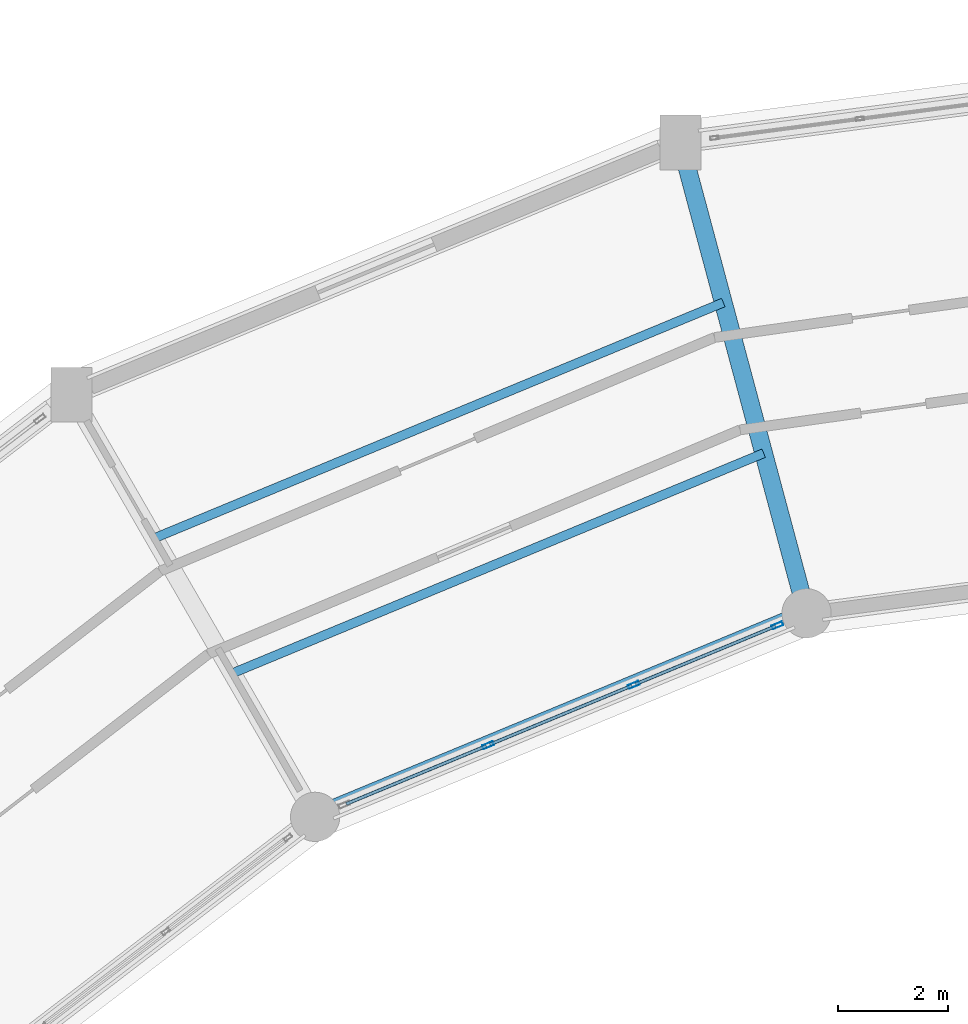
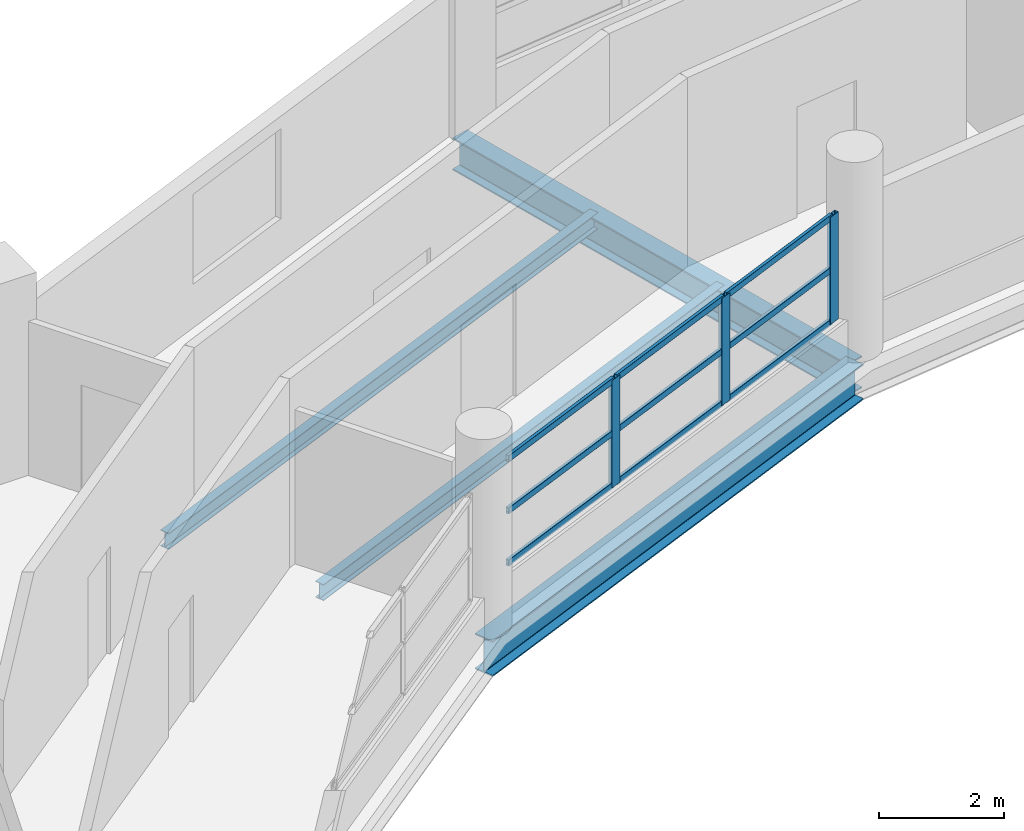
# One storey, part 28 of 53: 12 members, 4 beams, 1 element without a shape of its own.
"""IFC4 building model written with IfcOpenShell, lengths in metres."""

from ifc_helpers import new_model, si_unit, direction, frame, origin, origin_2d, place, context, subcontext, project, spatial, hollow_rectangle, i_section, extrude, material, layer, layer_set, material_profile, profile_set, type_object, element, aggregate, save


model = new_model("IFC4")

# Units and contexts
model_context = context("Model", 3, precision=1e-05, world=origin(), true_north=direction((0.0, 1.0)))
body_context = subcontext(model_context, "Body", "Model", "MODEL_VIEW")
ifc_project = project(units=[si_unit("LENGTHUNIT", "METRE"), si_unit("AREAUNIT", "SQUARE_METRE"), si_unit("VOLUMEUNIT", "CUBIC_METRE"), si_unit("PLANEANGLEUNIT", "RADIAN"), si_unit("MASSUNIT", "GRAM", prefix="KILO")], contexts=[model_context])

# Site, building, storey
site_placement = place(None, origin())
site = spatial("IfcSite", under=ifc_project, at=site_placement, CompositionType="ELEMENT")
building_placement = place(site_placement, origin())
building = spatial("IfcBuilding", under=site, at=building_placement, Name="Vespera Passage Community Centre", CompositionType="ELEMENT")
storey_placement = place(building_placement, frame((0.0, 0.0, 20.39990234375)))
storey = spatial("IfcBuildingStorey", under=building, at=storey_placement, Name="L05", CompositionType="ELEMENT", Elevation=20.39990234375)

# Beams
ifc_material_1 = material(Name="Steel ASTM A992 Grade 50", Category="steel")
ifc_material_profile_1 = material_profile(ifc_material_1, i_section(OverallWidth=0.32763671875, OverallDepth=0.62841796875, WebThickness=0.0166015625, FlangeThickness=0.027587890625, FilletRadius=0.0126953125, at=origin_2d()), Name="W24X146")
ifc_profile_set_1 = profile_set([ifc_material_profile_1], Name="Steel ASTM A992 Grade 50")
beam_type_1 = type_object("IfcBeamType", Name="BM-G-W24X146", PredefinedType="BEAM", material=ifc_profile_set_1)
beam_1_placement = place(storey_placement, frame((68.371826171875, 101.432373046875, -0.57421875), z_axis=(-0.258811497245, 0.9659278487, 0.0), x_axis=(-0.9659278487, -0.258811497245, 0.0)))
element("IfcBeam", 1, at=beam_1_placement, inside=storey, type_object=beam_type_1, Name="V4 L05 Radial Girder 7", PredefinedType="BEAM", context=body_context, shape_type="SweptSolid", body=[
    extrude(i_section(OverallWidth=0.32763671875, OverallDepth=0.62841796875, WebThickness=0.0166015625, FlangeThickness=0.027587890625, FilletRadius=0.0126953125, at=origin_2d()), origin(), (0.0, 0.0, 1.0), 8.900146484375),
])
ifc_material_2 = material(Name="Steel ASTM A992 Grade 50", Category="steel")
ifc_material_profile_2 = material_profile(ifc_material_2, i_section(OverallWidth=0.16650390625, OverallDepth=0.3173828125, WebThickness=0.007568359375, FlangeThickness=0.01318359375, FilletRadius=0.007568359375, at=origin_2d()), Name="W12X35")
ifc_profile_set_2 = profile_set([ifc_material_profile_2], Name="Steel ASTM A992 Grade 50")
beam_type_2 = type_object("IfcBeamType", Name="BM-J-W12X35", PredefinedType="JOIST", material=ifc_profile_set_2)
beam_2_placement = place(storey_placement, frame((67.588623046875, 104.355224609375, -0.418701171875), z_axis=(-0.92387968492, -0.382683064417, 0.0), x_axis=(0.382683064417, -0.92387968492, 0.0)))
element("IfcBeam", 2, at=beam_2_placement, inside=storey, type_object=beam_type_2, Name="V4 L05 Floor Joist 7.1", PredefinedType="JOIST", context=body_context, shape_type="SweptSolid", body=[
    extrude(i_section(OverallWidth=0.16650390625, OverallDepth=0.3173828125, WebThickness=0.007568359375, FlangeThickness=0.01318359375, FilletRadius=0.007568359375, at=origin_2d()), origin(), (0.0, 0.0, 1.0), 10.5009765625),
])
beam_3_placement = place(storey_placement, frame((66.8515625, 107.106201171875, -0.418701171875), z_axis=(-0.923884257257, -0.38267202562, 0.0), x_axis=(0.38267202562, -0.923884257257, 0.0)))
element("IfcBeam", 3, at=beam_3_placement, inside=storey, type_object=beam_type_2, Name="V4 L05 Floor Joist 7.2", PredefinedType="JOIST", context=body_context, shape_type="SweptSolid", body=[
    extrude(i_section(OverallWidth=0.16650390625, OverallDepth=0.3173828125, WebThickness=0.007568359375, FlangeThickness=0.01318359375, FilletRadius=0.007568359375, at=origin_2d()), origin(), (0.0, 0.0, 1.0), 11.24462890625),
])
ifc_material_3 = material(Name="Steel ASTM A992 Grade 50", Category="steel")
ifc_material_profile_3 = material_profile(ifc_material_3, i_section(OverallWidth=0.3544921875, OverallDepth=0.695556640625, WebThickness=0.015380859375, FlangeThickness=0.024658203125, FilletRadius=0.01513671875, at=origin_2d()), Name="W27X146")
ifc_profile_set_3 = profile_set([ifc_material_profile_3], Name="Steel ASTM A992 Grade 50")
beam_type_3 = type_object("IfcBeamType", Name="BM-SP-W27X146E", PredefinedType="SPANDREL", material=ifc_profile_set_3)
beam_4_placement = place(storey_placement, frame((68.371826171875, 101.432373046875, -0.607666015625), z_axis=(-0.923878947685, -0.382684844258, 0.0), x_axis=(0.382684844258, -0.923878947685, 0.0)))
element("IfcBeam", 4, at=beam_4_placement, inside=storey, type_object=beam_type_3, Name="V4 L05 Inner Spandrel 7", PredefinedType="SPANDREL", context=body_context, shape_type="SweptSolid", body=[
    extrude(i_section(OverallWidth=0.3544921875, OverallDepth=0.695556640625, WebThickness=0.015380859375, FlangeThickness=0.024658203125, FilletRadius=0.01513671875, at=origin_2d()), origin(), (0.0, 0.0, 1.0), 9.711181640625),
])

# Curtain wall, members
ifc_material_4 = material(Name="Anodized aluminium 6063-T6", Category="aluminium")
ifc_layer = layer(ifc_material_4, 0.159912109375)
ifc_layer_set = layer_set([ifc_layer], Name="Anodized aluminium 6063-T6")
curtain_wall_type = type_object("IfcCurtainWallType", Name="CW-56E", PredefinedType="NOTDEFINED", material=ifc_layer_set)
curtain_wall_placement = place(storey_placement, origin())
curtain_wall = element("IfcCurtainWall", 5, at=curtain_wall_placement, inside=storey, type_object=curtain_wall_type, Name="V4 L05 Inner Court Curtain Wall 7", PredefinedType="NOTDEFINED")
ifc_material_5 = material(Name="Anodized aluminium 6063-T6", Category="aluminium")
ifc_material_profile_4 = material_profile(ifc_material_5, hollow_rectangle(XDim=0.074951171875, YDim=0.2099609375, WallThickness=0.0048828125, InnerFilletRadius=0.00244140625, OuterFilletRadius=0.0048828125, at=origin_2d()), Name="ALU210X75X5")
ifc_profile_set_4 = profile_set([ifc_material_profile_4], Name="Anodized aluminium 6063-T6")
member_type_1 = type_object("IfcMemberType", Name="MB-CWM-210E", PredefinedType="MULLION", material=ifc_profile_set_4)
member_1_placement = place(storey_placement, frame((67.838623046875, 101.211669921875, 0.820068359375), z_axis=(0.0, 0.0, 1.0), x_axis=(0.382690463482, -0.923876620096, 0.0)))
member_1 = element("IfcMember", 6, at=member_1_placement, type_object=member_type_1, Name="CW-56E mullion 1", PredefinedType="MULLION", context=body_context, shape_type="SweptSolid", body=[
    extrude(hollow_rectangle(XDim=0.074951171875, YDim=0.2099609375, WallThickness=0.0048828125, InnerFilletRadius=0.00244140625, OuterFilletRadius=0.0048828125, at=origin_2d()), origin(), (0.0, 0.0, 1.0), 2.08935546875),
])
member_2_placement = place(storey_placement, frame((65.215087890625, 100.124755859375, 0.820068359375), z_axis=(0.0, 0.0, 1.0), x_axis=(0.382690463482, -0.923876620096, 0.0)))
member_2 = element("IfcMember", 7, at=member_2_placement, type_object=member_type_1, Name="CW-56E mullion 2", PredefinedType="MULLION", context=body_context, shape_type="SweptSolid", body=[
    extrude(hollow_rectangle(XDim=0.074951171875, YDim=0.2099609375, WallThickness=0.0048828125, InnerFilletRadius=0.00244140625, OuterFilletRadius=0.0048828125, at=origin_2d()), origin(), (0.0, 0.0, 1.0), 2.08935546875),
])
member_3_placement = place(storey_placement, frame((62.556884765625, 99.023681640625, 0.820068359375), z_axis=(0.0, 0.0, 1.0), x_axis=(0.382690463482, -0.923876620096, 0.0)))
member_3 = element("IfcMember", 8, at=member_3_placement, type_object=member_type_1, Name="CW-56E mullion 3", PredefinedType="MULLION", context=body_context, shape_type="SweptSolid", body=[
    extrude(hollow_rectangle(XDim=0.074951171875, YDim=0.2099609375, WallThickness=0.0048828125, InnerFilletRadius=0.00244140625, OuterFilletRadius=0.0048828125, at=origin_2d()), origin(), (0.0, 0.0, 1.0), 2.08935546875),
])
ifc_material_6 = material(Name="Anodized aluminium 6063-T6", Category="aluminium")
ifc_material_profile_5 = material_profile(ifc_material_6, hollow_rectangle(XDim=0.06005859375, YDim=0.1201171875, WallThickness=0.00390625, InnerFilletRadius=0.001953125, OuterFilletRadius=0.00390625, at=origin_2d()), Name="ALU120X60X4")
ifc_profile_set_5 = profile_set([ifc_material_profile_5], Name="Anodized aluminium 6063-T6")
member_type_2 = type_object("IfcMemberType", Name="MB-CWT-120E", PredefinedType="USERDEFINED", material=ifc_profile_set_5)
member_4_placement = place(storey_placement, frame((67.803955078125, 101.197265625, 0.85009765625), z_axis=(-0.923863992677, -0.382720946689, 0.0), x_axis=(0.382720946689, -0.923863992677, 0.0)))
member_4 = element("IfcMember", 9, at=member_4_placement, type_object=member_type_2, Name="CW-56E transom 1.1", ObjectType="TRANSOM", PredefinedType="USERDEFINED", context=body_context, shape_type="SweptSolid", body=[
    extrude(hollow_rectangle(XDim=0.06005859375, YDim=0.1201171875, WallThickness=0.00390625, InnerFilletRadius=0.001953125, OuterFilletRadius=0.00390625, at=origin_2d()), origin(), (0.0, 0.0, 1.0), 2.7646484375),
])
member_5_placement = place(storey_placement, frame((67.803955078125, 101.197265625, 1.86474609375), z_axis=(-0.923863992677, -0.382720946689, 0.0), x_axis=(0.382720946689, -0.923863992677, 0.0)))
member_5 = element("IfcMember", 10, at=member_5_placement, type_object=member_type_2, Name="CW-56E transom 1.2", ObjectType="TRANSOM", PredefinedType="USERDEFINED", context=body_context, shape_type="SweptSolid", body=[
    extrude(hollow_rectangle(XDim=0.06005859375, YDim=0.1201171875, WallThickness=0.00390625, InnerFilletRadius=0.001953125, OuterFilletRadius=0.00390625, at=origin_2d()), origin(), (0.0, 0.0, 1.0), 2.7646484375),
])
member_6_placement = place(storey_placement, frame((67.803955078125, 101.197265625, 2.87939453125), z_axis=(-0.923863992677, -0.382720946689, 0.0), x_axis=(0.382720946689, -0.923863992677, 0.0)))
member_6 = element("IfcMember", 11, at=member_6_placement, type_object=member_type_2, Name="CW-56E transom 1.3", ObjectType="TRANSOM", PredefinedType="USERDEFINED", context=body_context, shape_type="SweptSolid", body=[
    extrude(hollow_rectangle(XDim=0.06005859375, YDim=0.1201171875, WallThickness=0.00390625, InnerFilletRadius=0.001953125, OuterFilletRadius=0.00390625, at=origin_2d()), origin(), (0.0, 0.0, 1.0), 2.7646484375),
])
member_7_placement = place(storey_placement, frame((65.180419921875, 100.1103515625, 0.85009765625), z_axis=(-0.923889408399, -0.382659588994, 0.0), x_axis=(0.382659588994, -0.923889408399, 0.0)))
member_7 = element("IfcMember", 12, at=member_7_placement, type_object=member_type_2, Name="CW-56E transom 2.1", ObjectType="TRANSOM", PredefinedType="USERDEFINED", context=body_context, shape_type="SweptSolid", body=[
    extrude(hollow_rectangle(XDim=0.06005859375, YDim=0.1201171875, WallThickness=0.00390625, InnerFilletRadius=0.001953125, OuterFilletRadius=0.00390625, at=origin_2d()), origin(), (0.0, 0.0, 1.0), 2.80224609375),
])
member_8_placement = place(storey_placement, frame((65.180419921875, 100.1103515625, 1.86474609375), z_axis=(-0.923889408399, -0.382659588994, 0.0), x_axis=(0.382659588994, -0.923889408399, 0.0)))
member_8 = element("IfcMember", 13, at=member_8_placement, type_object=member_type_2, Name="CW-56E transom 2.2", ObjectType="TRANSOM", PredefinedType="USERDEFINED", context=body_context, shape_type="SweptSolid", body=[
    extrude(hollow_rectangle(XDim=0.06005859375, YDim=0.1201171875, WallThickness=0.00390625, InnerFilletRadius=0.001953125, OuterFilletRadius=0.00390625, at=origin_2d()), origin(), (0.0, 0.0, 1.0), 2.80224609375),
])
member_9_placement = place(storey_placement, frame((65.180419921875, 100.1103515625, 2.87939453125), z_axis=(-0.923889408399, -0.382659588994, 0.0), x_axis=(0.382659588994, -0.923889408399, 0.0)))
member_9 = element("IfcMember", 14, at=member_9_placement, type_object=member_type_2, Name="CW-56E transom 2.3", ObjectType="TRANSOM", PredefinedType="USERDEFINED", context=body_context, shape_type="SweptSolid", body=[
    extrude(hollow_rectangle(XDim=0.06005859375, YDim=0.1201171875, WallThickness=0.00390625, InnerFilletRadius=0.001953125, OuterFilletRadius=0.00390625, at=origin_2d()), origin(), (0.0, 0.0, 1.0), 2.80224609375),
])
member_10_placement = place(storey_placement, frame((62.522216796875, 99.00927734375, 0.85009765625), z_axis=(-0.923908142805, -0.382614353701, 0.0), x_axis=(0.382614353701, -0.923908142805, 0.0)))
member_10 = element("IfcMember", 15, at=member_10_placement, type_object=member_type_2, Name="CW-56E transom 3.1", ObjectType="TRANSOM", PredefinedType="USERDEFINED", context=body_context, shape_type="SweptSolid", body=[
    extrude(hollow_rectangle(XDim=0.06005859375, YDim=0.1201171875, WallThickness=0.00390625, InnerFilletRadius=0.001953125, OuterFilletRadius=0.00390625, at=origin_2d()), origin(), (0.0, 0.0, 1.0), 2.764892578125),
])
member_11_placement = place(storey_placement, frame((62.522216796875, 99.00927734375, 1.86474609375), z_axis=(-0.923908142805, -0.382614353701, 0.0), x_axis=(0.382614353701, -0.923908142805, 0.0)))
member_11 = element("IfcMember", 16, at=member_11_placement, type_object=member_type_2, Name="CW-56E transom 3.2", ObjectType="TRANSOM", PredefinedType="USERDEFINED", context=body_context, shape_type="SweptSolid", body=[
    extrude(hollow_rectangle(XDim=0.06005859375, YDim=0.1201171875, WallThickness=0.00390625, InnerFilletRadius=0.001953125, OuterFilletRadius=0.00390625, at=origin_2d()), origin(), (0.0, 0.0, 1.0), 2.764892578125),
])
member_12_placement = place(storey_placement, frame((62.522216796875, 99.00927734375, 2.87939453125), z_axis=(-0.923908142805, -0.382614353701, 0.0), x_axis=(0.382614353701, -0.923908142805, 0.0)))
member_12 = element("IfcMember", 17, at=member_12_placement, type_object=member_type_2, Name="CW-56E transom 3.3", ObjectType="TRANSOM", PredefinedType="USERDEFINED", context=body_context, shape_type="SweptSolid", body=[
    extrude(hollow_rectangle(XDim=0.06005859375, YDim=0.1201171875, WallThickness=0.00390625, InnerFilletRadius=0.001953125, OuterFilletRadius=0.00390625, at=origin_2d()), origin(), (0.0, 0.0, 1.0), 2.764892578125),
])
aggregate(curtain_wall, [member_1, member_2, member_3, member_4, member_5, member_6, member_7, member_8, member_9, member_10, member_11, member_12])

save(model, "model.ifc")
